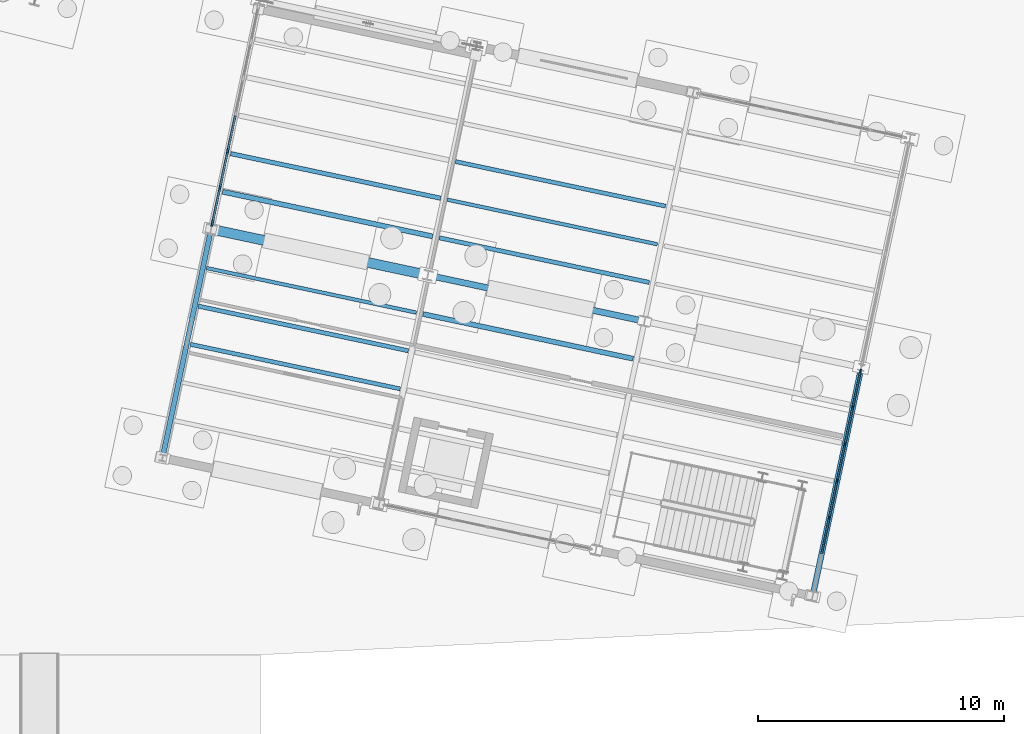
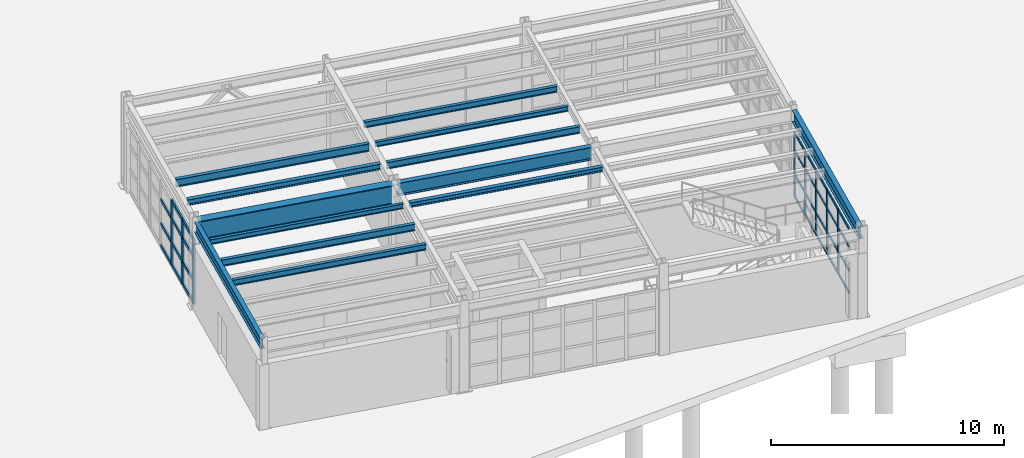
# One storey, part 54 of 108: 39 members, 13 beams, 2 elements without a shape of their own.
"""IFC4 building model written with IfcOpenShell, lengths in metres."""

from ifc_helpers import new_model, si_unit, direction, frame, origin, origin_2d, place, context, subcontext, project, spatial, rectangle, i_section, extrude, material, layer, layer_set, material_profile, profile_set, type_object, element, aggregate, save


model = new_model("IFC4")

# Units and contexts
model_context = context("Model", 3, precision=1e-05, world=origin(), true_north=direction((0.0, 1.0)))
body_context = subcontext(model_context, "Body", "Model", "MODEL_VIEW")
ifc_project = project(units=[si_unit("LENGTHUNIT", "METRE"), si_unit("AREAUNIT", "SQUARE_METRE"), si_unit("VOLUMEUNIT", "CUBIC_METRE"), si_unit("PLANEANGLEUNIT", "RADIAN"), si_unit("MASSUNIT", "GRAM", prefix="KILO")], contexts=[model_context])

# Site, building, storey
site_placement = place(None, origin())
site = spatial("IfcSite", under=ifc_project, at=site_placement, CompositionType="ELEMENT")
building_placement = place(site_placement, origin())
building = spatial("IfcBuilding", under=site, at=building_placement, Name="Vireo Bluff Cable Station", CompositionType="ELEMENT")
storey_placement = place(building_placement, origin())
storey = spatial("IfcBuildingStorey", under=building, at=storey_placement, Name="L00", CompositionType="ELEMENT", Elevation=0.0)

# Curtain wall, members
ifc_material_1 = material(Name="Anodized Aluminium 6063-T6", Category="aluminium")
ifc_layer = layer(ifc_material_1, 0.179931640625, Name="Anodized Aluminium 6063-T6")
ifc_layer_set = layer_set([ifc_layer], Name="Anodized Aluminium 6063-T6")
curtain_wall_type = type_object("IfcCurtainWallType", Name="CW-UNIT-1650", PredefinedType="USERDEFINED", material=ifc_layer_set)
curtain_wall_1_placement = place(storey_placement, origin())
curtain_wall_1 = element("IfcCurtainWall", 1, at=curtain_wall_1_placement, inside=storey, type_object=curtain_wall_type, Name="V5E L00 east curtain wall CW-134", ObjectType="UNITISED CURTAIN WALL", PredefinedType="USERDEFINED")
ifc_material_profile_1 = material_profile(ifc_material_1, rectangle(XDim=0.06005859375, YDim=0.159912109375, at=origin_2d()), Name="ALU-M-60X160")
ifc_profile_set_1 = profile_set([ifc_material_profile_1], Name="Anodized Aluminium 6063-T6")
member_type_1 = type_object("IfcMemberType", Name="CWM-03", PredefinedType="MULLION", material=ifc_profile_set_1)
member_1_placement = place(storey_placement, frame((158.351806640625, 13.522216796875, 0.0), z_axis=(0.0, 0.0, 1.0), x_axis=(0.978147584727, -0.207911766122, 0.0)))
member_1 = element("IfcMember", 2, at=member_1_placement, type_object=member_type_1, Name="CW-134 mullion 1", PredefinedType="MULLION", context=body_context, shape_type="SweptSolid", body=[
    extrude(rectangle(XDim=0.06005859375, YDim=0.159912109375, at=origin_2d()), origin(), (0.0, 0.0, 1.0), 3.39990234375),
])
member_2_placement = place(storey_placement, frame((158.04052734375, 12.056884765625, 0.0), z_axis=(0.0, 0.0, 1.0), x_axis=(0.978147584727, -0.207911766122, 0.0)))
member_2 = element("IfcMember", 3, at=member_2_placement, type_object=member_type_1, Name="CW-134 mullion 2", PredefinedType="MULLION", context=body_context, shape_type="SweptSolid", body=[
    extrude(rectangle(XDim=0.06005859375, YDim=0.159912109375, at=origin_2d()), origin(), (0.0, 0.0, 1.0), 3.39990234375),
])
member_3_placement = place(storey_placement, frame((157.72265625, 10.562255859375, 0.0), z_axis=(0.0, 0.0, 1.0), x_axis=(0.978147584727, -0.207911766122, 0.0)))
member_3 = element("IfcMember", 4, at=member_3_placement, type_object=member_type_1, Name="CW-134 mullion 3", PredefinedType="MULLION", context=body_context, shape_type="SweptSolid", body=[
    extrude(rectangle(XDim=0.06005859375, YDim=0.159912109375, at=origin_2d()), origin(), (0.0, 0.0, 1.0), 3.39990234375),
])
member_4_placement = place(storey_placement, frame((157.405029296875, 9.067626953125, 0.0), z_axis=(0.0, 0.0, 1.0), x_axis=(0.978147584727, -0.207911766122, 0.0)))
member_4 = element("IfcMember", 5, at=member_4_placement, type_object=member_type_1, Name="CW-134 mullion 4", PredefinedType="MULLION", context=body_context, shape_type="SweptSolid", body=[
    extrude(rectangle(XDim=0.06005859375, YDim=0.159912109375, at=origin_2d()), origin(), (0.0, 0.0, 1.0), 3.39990234375),
])
member_5_placement = place(storey_placement, frame((157.08740234375, 7.57275390625, 0.0), z_axis=(0.0, 0.0, 1.0), x_axis=(0.978147584727, -0.207911766122, 0.0)))
member_5 = element("IfcMember", 6, at=member_5_placement, type_object=member_type_1, Name="CW-134 mullion 5", PredefinedType="MULLION", context=body_context, shape_type="SweptSolid", body=[
    extrude(rectangle(XDim=0.06005859375, YDim=0.159912109375, at=origin_2d()), origin(), (0.0, 0.0, 1.0), 3.39990234375),
])

curtain_wall_2_placement = place(storey_placement, origin())
curtain_wall_2 = element("IfcCurtainWall", 7, at=curtain_wall_2_placement, inside=storey, type_object=curtain_wall_type, Name="V5E L00 west curtain wall CW-131", ObjectType="UNITISED CURTAIN WALL", PredefinedType="USERDEFINED")
ifc_material_profile_2 = material_profile(ifc_material_1, rectangle(XDim=0.080078125, YDim=0.239990234375, at=origin_2d()), Name="ALU-M-80X240")
ifc_profile_set_2 = profile_set([ifc_material_profile_2], Name="Anodized Aluminium 6063-T6")
member_type_2 = type_object("IfcMemberType", Name="CWM-04", PredefinedType="MULLION", material=ifc_profile_set_2)
member_6_placement = place(storey_placement, frame((132.025390625, 19.528564453125, 0.0), z_axis=(0.0, 0.0, 1.0), x_axis=(-0.978147586458, 0.207911757979, 0.0)))
member_6 = element("IfcMember", 8, at=member_6_placement, type_object=member_type_2, Name="CW-131 mullion 1", PredefinedType="MULLION", context=body_context, shape_type="SweptSolid", body=[
    extrude(rectangle(XDim=0.080078125, YDim=0.239990234375, at=origin_2d()), origin(), (0.0, 0.0, 1.0), 3.39990234375),
])
member_7_placement = place(storey_placement, frame((132.33203125, 20.970947265625, 0.0), z_axis=(0.0, 0.0, 1.0), x_axis=(-0.978147586458, 0.207911757979, 0.0)))
member_7 = element("IfcMember", 9, at=member_7_placement, type_object=member_type_2, Name="CW-131 mullion 2", PredefinedType="MULLION", context=body_context, shape_type="SweptSolid", body=[
    extrude(rectangle(XDim=0.080078125, YDim=0.239990234375, at=origin_2d()), origin(), (0.0, 0.0, 1.0), 3.39990234375),
])
member_8_placement = place(storey_placement, frame((132.64697265625, 22.45263671875, 0.0), z_axis=(0.0, 0.0, 1.0), x_axis=(-0.978147586458, 0.207911757979, 0.0)))
member_8 = element("IfcMember", 10, at=member_8_placement, type_object=member_type_2, Name="CW-131 mullion 3", PredefinedType="MULLION", context=body_context, shape_type="SweptSolid", body=[
    extrude(rectangle(XDim=0.080078125, YDim=0.239990234375, at=origin_2d()), origin(), (0.0, 0.0, 1.0), 3.39990234375),
])

# Member
ifc_material_profile_3 = material_profile(ifc_material_1, rectangle(XDim=0.06005859375, YDim=0.1201171875, at=origin_2d()), Name="ALU-T-60X120")
ifc_profile_set_3 = profile_set([ifc_material_profile_3], Name="Anodized Aluminium 6063-T6")
member_type_3 = type_object("IfcMemberType", Name="CWT-03", PredefinedType="USERDEFINED", material=ifc_profile_set_3)
member_9_placement = place(storey_placement, frame((158.345703125, 13.492919921875, 0.030029296875), z_axis=(-0.20795214779, -0.978139000464, 0.0), x_axis=(0.978139000464, -0.20795214779, 0.0)))
member_9 = element("IfcMember", 11, at=member_9_placement, type_object=member_type_3, Name="CW-134 transom 1.1", ObjectType="TRANSOM", PredefinedType="USERDEFINED", context=body_context, shape_type="SweptSolid", body=[
    extrude(rectangle(XDim=0.06005859375, YDim=0.1201171875, at=origin_2d()), origin(), (0.0, 0.0, 1.0), 1.438232421875),
])

member_10_placement = place(storey_placement, frame((158.345703125, 13.492919921875, 1.18994140625), z_axis=(-0.20795214779, -0.978139000464, 0.0), x_axis=(0.978139000464, -0.20795214779, 0.0)))
member_10 = element("IfcMember", 12, at=member_10_placement, type_object=member_type_3, Name="CW-134 transom 1.2", ObjectType="TRANSOM", PredefinedType="USERDEFINED", context=body_context, shape_type="SweptSolid", body=[
    extrude(rectangle(XDim=0.06005859375, YDim=0.1201171875, at=origin_2d()), origin(), (0.0, 0.0, 1.0), 1.438232421875),
])

member_11_placement = place(storey_placement, frame((158.345703125, 13.492919921875, 2.447998046875), z_axis=(-0.20795214779, -0.978139000464, 0.0), x_axis=(0.978139000464, -0.20795214779, 0.0)))
member_11 = element("IfcMember", 13, at=member_11_placement, type_object=member_type_3, Name="CW-134 transom 1.3", ObjectType="TRANSOM", PredefinedType="USERDEFINED", context=body_context, shape_type="SweptSolid", body=[
    extrude(rectangle(XDim=0.06005859375, YDim=0.1201171875, at=origin_2d()), origin(), (0.0, 0.0, 1.0), 1.438232421875),
])

member_12_placement = place(storey_placement, frame((158.345703125, 13.492919921875, 3.3701171875), z_axis=(-0.20795214779, -0.978139000464, 0.0), x_axis=(0.978139000464, -0.20795214779, 0.0)))
member_12 = element("IfcMember", 14, at=member_12_placement, type_object=member_type_3, Name="CW-134 transom 1.4", ObjectType="TRANSOM", PredefinedType="USERDEFINED", context=body_context, shape_type="SweptSolid", body=[
    extrude(rectangle(XDim=0.06005859375, YDim=0.1201171875, at=origin_2d()), origin(), (0.0, 0.0, 1.0), 1.438232421875),
])

member_13_placement = place(storey_placement, frame((158.0341796875, 12.027587890625, 0.030029296875), z_axis=(-0.207870689179, -0.978156315003, 0.0), x_axis=(0.978156315003, -0.207870689179, 0.0)))
member_13 = element("IfcMember", 15, at=member_13_placement, type_object=member_type_3, Name="CW-134 transom 2.1", ObjectType="TRANSOM", PredefinedType="USERDEFINED", context=body_context, shape_type="SweptSolid", body=[
    extrude(rectangle(XDim=0.06005859375, YDim=0.1201171875, at=origin_2d()), origin(), (0.0, 0.0, 1.0), 1.468017578125),
])

member_14_placement = place(storey_placement, frame((158.0341796875, 12.027587890625, 1.18994140625), z_axis=(-0.207870689179, -0.978156315003, 0.0), x_axis=(0.978156315003, -0.207870689179, 0.0)))
member_14 = element("IfcMember", 16, at=member_14_placement, type_object=member_type_3, Name="CW-134 transom 2.2", ObjectType="TRANSOM", PredefinedType="USERDEFINED", context=body_context, shape_type="SweptSolid", body=[
    extrude(rectangle(XDim=0.06005859375, YDim=0.1201171875, at=origin_2d()), origin(), (0.0, 0.0, 1.0), 1.468017578125),
])

member_15_placement = place(storey_placement, frame((158.0341796875, 12.027587890625, 2.447998046875), z_axis=(-0.207870689179, -0.978156315003, 0.0), x_axis=(0.978156315003, -0.207870689179, 0.0)))
member_15 = element("IfcMember", 17, at=member_15_placement, type_object=member_type_3, Name="CW-134 transom 2.3", ObjectType="TRANSOM", PredefinedType="USERDEFINED", context=body_context, shape_type="SweptSolid", body=[
    extrude(rectangle(XDim=0.06005859375, YDim=0.1201171875, at=origin_2d()), origin(), (0.0, 0.0, 1.0), 1.468017578125),
])

member_16_placement = place(storey_placement, frame((158.0341796875, 12.027587890625, 3.3701171875), z_axis=(-0.207870689179, -0.978156315003, 0.0), x_axis=(0.978156315003, -0.207870689179, 0.0)))
member_16 = element("IfcMember", 18, at=member_16_placement, type_object=member_type_3, Name="CW-134 transom 2.4", ObjectType="TRANSOM", PredefinedType="USERDEFINED", context=body_context, shape_type="SweptSolid", body=[
    extrude(rectangle(XDim=0.06005859375, YDim=0.1201171875, at=origin_2d()), origin(), (0.0, 0.0, 1.0), 1.468017578125),
])

member_17_placement = place(storey_placement, frame((157.716552734375, 10.532958984375, 0.030029296875), z_axis=(-0.208029791768, -0.97812249015, 0.0), x_axis=(0.97812249015, -0.208029791768, 0.0)))
member_17 = element("IfcMember", 19, at=member_17_placement, type_object=member_type_3, Name="CW-134 transom 3.1", ObjectType="TRANSOM", PredefinedType="USERDEFINED", context=body_context, shape_type="SweptSolid", body=[
    extrude(rectangle(XDim=0.06005859375, YDim=0.1201171875, at=origin_2d()), origin(), (0.0, 0.0, 1.0), 1.46826171875),
])

member_18_placement = place(storey_placement, frame((157.716552734375, 10.532958984375, 1.18994140625), z_axis=(-0.208029791768, -0.97812249015, 0.0), x_axis=(0.97812249015, -0.208029791768, 0.0)))
member_18 = element("IfcMember", 20, at=member_18_placement, type_object=member_type_3, Name="CW-134 transom 3.2", ObjectType="TRANSOM", PredefinedType="USERDEFINED", context=body_context, shape_type="SweptSolid", body=[
    extrude(rectangle(XDim=0.06005859375, YDim=0.1201171875, at=origin_2d()), origin(), (0.0, 0.0, 1.0), 1.46826171875),
])

member_19_placement = place(storey_placement, frame((157.716552734375, 10.532958984375, 2.447998046875), z_axis=(-0.208029791768, -0.97812249015, 0.0), x_axis=(0.97812249015, -0.208029791768, 0.0)))
member_19 = element("IfcMember", 21, at=member_19_placement, type_object=member_type_3, Name="CW-134 transom 3.3", ObjectType="TRANSOM", PredefinedType="USERDEFINED", context=body_context, shape_type="SweptSolid", body=[
    extrude(rectangle(XDim=0.06005859375, YDim=0.1201171875, at=origin_2d()), origin(), (0.0, 0.0, 1.0), 1.46826171875),
])

member_20_placement = place(storey_placement, frame((157.716552734375, 10.532958984375, 3.3701171875), z_axis=(-0.208029791768, -0.97812249015, 0.0), x_axis=(0.97812249015, -0.208029791768, 0.0)))
member_20 = element("IfcMember", 22, at=member_20_placement, type_object=member_type_3, Name="CW-134 transom 3.4", ObjectType="TRANSOM", PredefinedType="USERDEFINED", context=body_context, shape_type="SweptSolid", body=[
    extrude(rectangle(XDim=0.06005859375, YDim=0.1201171875, at=origin_2d()), origin(), (0.0, 0.0, 1.0), 1.46826171875),
])

member_21_placement = place(storey_placement, frame((157.398681640625, 9.038330078125, 0.030029296875), z_axis=(-0.207870689179, -0.978156315003, 0.0), x_axis=(0.978156315003, -0.207870689179, 0.0)))
member_21 = element("IfcMember", 23, at=member_21_placement, type_object=member_type_3, Name="CW-134 transom 4.1", ObjectType="TRANSOM", PredefinedType="USERDEFINED", context=body_context, shape_type="SweptSolid", body=[
    extrude(rectangle(XDim=0.06005859375, YDim=0.1201171875, at=origin_2d()), origin(), (0.0, 0.0, 1.0), 1.468017578125),
])

member_22_placement = place(storey_placement, frame((157.398681640625, 9.038330078125, 1.18994140625), z_axis=(-0.207870689179, -0.978156315003, 0.0), x_axis=(0.978156315003, -0.207870689179, 0.0)))
member_22 = element("IfcMember", 24, at=member_22_placement, type_object=member_type_3, Name="CW-134 transom 4.2", ObjectType="TRANSOM", PredefinedType="USERDEFINED", context=body_context, shape_type="SweptSolid", body=[
    extrude(rectangle(XDim=0.06005859375, YDim=0.1201171875, at=origin_2d()), origin(), (0.0, 0.0, 1.0), 1.468017578125),
])

member_23_placement = place(storey_placement, frame((157.398681640625, 9.038330078125, 2.447998046875), z_axis=(-0.207870689179, -0.978156315003, 0.0), x_axis=(0.978156315003, -0.207870689179, 0.0)))
member_23 = element("IfcMember", 25, at=member_23_placement, type_object=member_type_3, Name="CW-134 transom 4.3", ObjectType="TRANSOM", PredefinedType="USERDEFINED", context=body_context, shape_type="SweptSolid", body=[
    extrude(rectangle(XDim=0.06005859375, YDim=0.1201171875, at=origin_2d()), origin(), (0.0, 0.0, 1.0), 1.468017578125),
])

member_24_placement = place(storey_placement, frame((157.398681640625, 9.038330078125, 3.3701171875), z_axis=(-0.207870689179, -0.978156315003, 0.0), x_axis=(0.978156315003, -0.207870689179, 0.0)))
member_24 = element("IfcMember", 26, at=member_24_placement, type_object=member_type_3, Name="CW-134 transom 4.4", ObjectType="TRANSOM", PredefinedType="USERDEFINED", context=body_context, shape_type="SweptSolid", body=[
    extrude(rectangle(XDim=0.06005859375, YDim=0.1201171875, at=origin_2d()), origin(), (0.0, 0.0, 1.0), 1.468017578125),
])

member_25_placement = place(storey_placement, frame((157.0810546875, 7.54345703125, 0.030029296875), z_axis=(-0.207870689179, -0.978156315003, 0.0), x_axis=(0.978156315003, -0.207870689179, 0.0)))
member_25 = element("IfcMember", 27, at=member_25_placement, type_object=member_type_3, Name="CW-134 transom 5.1", ObjectType="TRANSOM", PredefinedType="USERDEFINED", context=body_context, shape_type="SweptSolid", body=[
    extrude(rectangle(XDim=0.06005859375, YDim=0.1201171875, at=origin_2d()), origin(), (0.0, 0.0, 1.0), 1.468017578125),
])

member_26_placement = place(storey_placement, frame((157.0810546875, 7.54345703125, 1.18994140625), z_axis=(-0.207870689179, -0.978156315003, 0.0), x_axis=(0.978156315003, -0.207870689179, 0.0)))
member_26 = element("IfcMember", 28, at=member_26_placement, type_object=member_type_3, Name="CW-134 transom 5.2", ObjectType="TRANSOM", PredefinedType="USERDEFINED", context=body_context, shape_type="SweptSolid", body=[
    extrude(rectangle(XDim=0.06005859375, YDim=0.1201171875, at=origin_2d()), origin(), (0.0, 0.0, 1.0), 1.468017578125),
])

member_27_placement = place(storey_placement, frame((157.0810546875, 7.54345703125, 2.447998046875), z_axis=(-0.207870689179, -0.978156315003, 0.0), x_axis=(0.978156315003, -0.207870689179, 0.0)))
member_27 = element("IfcMember", 29, at=member_27_placement, type_object=member_type_3, Name="CW-134 transom 5.3", ObjectType="TRANSOM", PredefinedType="USERDEFINED", context=body_context, shape_type="SweptSolid", body=[
    extrude(rectangle(XDim=0.06005859375, YDim=0.1201171875, at=origin_2d()), origin(), (0.0, 0.0, 1.0), 1.468017578125),
])

member_28_placement = place(storey_placement, frame((157.0810546875, 7.54345703125, 3.3701171875), z_axis=(-0.207870689179, -0.978156315003, 0.0), x_axis=(0.978156315003, -0.207870689179, 0.0)))
member_28 = element("IfcMember", 30, at=member_28_placement, type_object=member_type_3, Name="CW-134 transom 5.4", ObjectType="TRANSOM", PredefinedType="USERDEFINED", context=body_context, shape_type="SweptSolid", body=[
    extrude(rectangle(XDim=0.06005859375, YDim=0.1201171875, at=origin_2d()), origin(), (0.0, 0.0, 1.0), 1.468017578125),
])

aggregate(curtain_wall_1, [member_1, member_2, member_3, member_4, member_5, member_9, member_10, member_11, member_12, member_13, member_14, member_15, member_16, member_17, member_18, member_19, member_20, member_21, member_22, member_23, member_24, member_25, member_26, member_27, member_28])

ifc_material_profile_4 = material_profile(ifc_material_1, rectangle(XDim=0.080078125, YDim=0.175048828125, at=origin_2d()), Name="ALU-T-80X175")
ifc_profile_set_4 = profile_set([ifc_material_profile_4], Name="Anodized Aluminium 6063-T6")
member_type_4 = type_object("IfcMemberType", Name="CWT-04", PredefinedType="USERDEFINED", material=ifc_profile_set_4)
member_29_placement = place(storey_placement, frame((132.03369140625, 19.56787109375, 0.0400390625), z_axis=(0.207986479453, 0.97813170093, 0.0), x_axis=(-0.97813170093, 0.207986479453, 0.0)))
member_29 = element("IfcMember", 31, at=member_29_placement, type_object=member_type_4, Name="CW-131 transom 1.1", ObjectType="TRANSOM", PredefinedType="USERDEFINED", context=body_context, shape_type="SweptSolid", body=[
    extrude(rectangle(XDim=0.080078125, YDim=0.175048828125, at=origin_2d()), origin(), (0.0, 0.0, 1.0), 1.39453125),
])

member_30_placement = place(storey_placement, frame((132.03369140625, 19.56787109375, 1.18994140625), z_axis=(0.207986479453, 0.97813170093, 0.0), x_axis=(-0.97813170093, 0.207986479453, 0.0)))
member_30 = element("IfcMember", 32, at=member_30_placement, type_object=member_type_4, Name="CW-131 transom 1.2", ObjectType="TRANSOM", PredefinedType="USERDEFINED", context=body_context, shape_type="SweptSolid", body=[
    extrude(rectangle(XDim=0.080078125, YDim=0.175048828125, at=origin_2d()), origin(), (0.0, 0.0, 1.0), 1.39453125),
])

member_31_placement = place(storey_placement, frame((132.03369140625, 19.56787109375, 2.447998046875), z_axis=(0.207986479453, 0.97813170093, 0.0), x_axis=(-0.97813170093, 0.207986479453, 0.0)))
member_31 = element("IfcMember", 33, at=member_31_placement, type_object=member_type_4, Name="CW-131 transom 1.3", ObjectType="TRANSOM", PredefinedType="USERDEFINED", context=body_context, shape_type="SweptSolid", body=[
    extrude(rectangle(XDim=0.080078125, YDim=0.175048828125, at=origin_2d()), origin(), (0.0, 0.0, 1.0), 1.39453125),
])

member_32_placement = place(storey_placement, frame((132.03369140625, 19.56787109375, 3.360107421875), z_axis=(0.207986479453, 0.97813170093, 0.0), x_axis=(-0.97813170093, 0.207986479453, 0.0)))
member_32 = element("IfcMember", 34, at=member_32_placement, type_object=member_type_4, Name="CW-131 transom 1.4", ObjectType="TRANSOM", PredefinedType="USERDEFINED", context=body_context, shape_type="SweptSolid", body=[
    extrude(rectangle(XDim=0.080078125, YDim=0.175048828125, at=origin_2d()), origin(), (0.0, 0.0, 1.0), 1.39453125),
])

member_33_placement = place(storey_placement, frame((132.34033203125, 21.01025390625, 0.0400390625), z_axis=(0.207948304961, 0.978139817441, 0.0), x_axis=(-0.978139817441, 0.207948304961, 0.0)))
member_33 = element("IfcMember", 35, at=member_33_placement, type_object=member_type_4, Name="CW-131 transom 2.1", ObjectType="TRANSOM", PredefinedType="USERDEFINED", context=body_context, shape_type="SweptSolid", body=[
    extrude(rectangle(XDim=0.080078125, YDim=0.175048828125, at=origin_2d()), origin(), (0.0, 0.0, 1.0), 1.4345703125),
])

member_34_placement = place(storey_placement, frame((132.34033203125, 21.01025390625, 1.18994140625), z_axis=(0.207948304961, 0.978139817441, 0.0), x_axis=(-0.978139817441, 0.207948304961, 0.0)))
member_34 = element("IfcMember", 36, at=member_34_placement, type_object=member_type_4, Name="CW-131 transom 2.2", ObjectType="TRANSOM", PredefinedType="USERDEFINED", context=body_context, shape_type="SweptSolid", body=[
    extrude(rectangle(XDim=0.080078125, YDim=0.175048828125, at=origin_2d()), origin(), (0.0, 0.0, 1.0), 1.4345703125),
])

member_35_placement = place(storey_placement, frame((132.34033203125, 21.01025390625, 2.447998046875), z_axis=(0.207948304961, 0.978139817441, 0.0), x_axis=(-0.978139817441, 0.207948304961, 0.0)))
member_35 = element("IfcMember", 37, at=member_35_placement, type_object=member_type_4, Name="CW-131 transom 2.3", ObjectType="TRANSOM", PredefinedType="USERDEFINED", context=body_context, shape_type="SweptSolid", body=[
    extrude(rectangle(XDim=0.080078125, YDim=0.175048828125, at=origin_2d()), origin(), (0.0, 0.0, 1.0), 1.4345703125),
])

member_36_placement = place(storey_placement, frame((132.34033203125, 21.01025390625, 3.360107421875), z_axis=(0.207948304961, 0.978139817441, 0.0), x_axis=(-0.978139817441, 0.207948304961, 0.0)))
member_36 = element("IfcMember", 38, at=member_36_placement, type_object=member_type_4, Name="CW-131 transom 2.4", ObjectType="TRANSOM", PredefinedType="USERDEFINED", context=body_context, shape_type="SweptSolid", body=[
    extrude(rectangle(XDim=0.080078125, YDim=0.175048828125, at=origin_2d()), origin(), (0.0, 0.0, 1.0), 1.4345703125),
])

member_37_placement = place(storey_placement, frame((132.6552734375, 22.49169921875, 0.0400390625), z_axis=(0.207785484454, 0.978174418215, 0.0), x_axis=(-0.978174418215, 0.207785484454, 0.0)))
member_37 = element("IfcMember", 39, at=member_37_placement, type_object=member_type_4, Name="CW-131 transom 3.1", ObjectType="TRANSOM", PredefinedType="USERDEFINED", context=body_context, shape_type="SweptSolid", body=[
    extrude(rectangle(XDim=0.080078125, YDim=0.175048828125, at=origin_2d()), origin(), (0.0, 0.0, 1.0), 1.4345703125),
])

member_38_placement = place(storey_placement, frame((132.6552734375, 22.49169921875, 1.18994140625), z_axis=(0.207785484454, 0.978174418215, 0.0), x_axis=(-0.978174418215, 0.207785484454, 0.0)))
member_38 = element("IfcMember", 40, at=member_38_placement, type_object=member_type_4, Name="CW-131 transom 3.2", ObjectType="TRANSOM", PredefinedType="USERDEFINED", context=body_context, shape_type="SweptSolid", body=[
    extrude(rectangle(XDim=0.080078125, YDim=0.175048828125, at=origin_2d()), origin(), (0.0, 0.0, 1.0), 1.4345703125),
])

member_39_placement = place(storey_placement, frame((132.6552734375, 22.49169921875, 2.447998046875), z_axis=(0.207785484454, 0.978174418215, 0.0), x_axis=(-0.978174418215, 0.207785484454, 0.0)))
member_39 = element("IfcMember", 41, at=member_39_placement, type_object=member_type_4, Name="CW-131 transom 3.3", ObjectType="TRANSOM", PredefinedType="USERDEFINED", context=body_context, shape_type="SweptSolid", body=[
    extrude(rectangle(XDim=0.080078125, YDim=0.175048828125, at=origin_2d()), origin(), (0.0, 0.0, 1.0), 1.4345703125),
])

aggregate(curtain_wall_2, [member_6, member_7, member_8, member_29, member_30, member_31, member_32, member_33, member_34, member_35, member_36, member_37, member_38, member_39])

# Beams
ifc_material_2 = material(Name="Steel ASTM A992 Gr. 50", Category="steel")
ifc_material_profile_5 = material_profile(ifc_material_2, i_section(OverallWidth=0.2529296875, OverallDepth=0.677978515625, WebThickness=0.01171875, FlangeThickness=0.016357421875, FilletRadius=0.014892578125, at=origin_2d()), Name="W27X84")
ifc_profile_set_5 = profile_set([ifc_material_profile_5], Name="Steel ASTM A992 Gr. 50")
beam_type_1 = type_object("IfcBeamType", Name="GIR-W27X84", PredefinedType="USERDEFINED", material=ifc_profile_set_5)
beam_1_placement = place(storey_placement, frame((140.895751953125, 17.396240234375, 4.200927734375), z_axis=(0.978148154167, -0.207909087104, 0.0), x_axis=(0.207909087104, 0.978148154167, 0.0)))
element("IfcBeam", 42, at=beam_1_placement, inside=storey, type_object=beam_type_1, Name="V5E L00 girder 1290", ObjectType="GIRDER", PredefinedType="USERDEFINED", context=body_context, shape_type="SweptSolid", body=[
    extrude(i_section(OverallWidth=0.2529296875, OverallDepth=0.677978515625, WebThickness=0.01171875, FlangeThickness=0.016357421875, FilletRadius=0.014892578125, at=origin_2d()), origin(), (0.0, 0.0, 1.0), 8.760009765625),
])
ifc_material_profile_6 = material_profile(ifc_material_2, i_section(OverallWidth=0.404052734375, OverallDepth=1.117919921875, WebThickness=0.026123046875, FlangeThickness=0.044921875, FilletRadius=0.02197265625, at=origin_2d()), Name="W44X335")
ifc_profile_set_6 = profile_set([ifc_material_profile_6], Name="Steel ASTM A992 Gr. 50")
beam_type_2 = type_object("IfcBeamType", Name="GIR-W44X335", PredefinedType="USERDEFINED", material=ifc_profile_set_6)
beam_2_placement = place(storey_placement, frame((132.092529296875, 19.267333984375, 3.98095703125), z_axis=(0.978148154167, -0.207909087104, 0.0), x_axis=(0.207909087104, 0.978148154167, 0.0)))
element("IfcBeam", 43, at=beam_2_placement, inside=storey, type_object=beam_type_2, Name="V5E L00 girder 1319", ObjectType="GIRDER", PredefinedType="USERDEFINED", context=body_context, shape_type="SweptSolid", body=[
    extrude(i_section(OverallWidth=0.404052734375, OverallDepth=1.117919921875, WebThickness=0.026123046875, FlangeThickness=0.044921875, FilletRadius=0.02197265625, at=origin_2d()), origin(), (0.0, 0.0, 1.0), 8.760009765625),
])
ifc_material_profile_7 = material_profile(ifc_material_2, i_section(OverallWidth=0.14599609375, OverallDepth=0.259033203125, WebThickness=0.006103515625, FlangeThickness=0.009033203125, FilletRadius=0.009033203125, at=origin_2d()), Name="W10X22")
ifc_profile_set_7 = profile_set([ifc_material_profile_7], Name="Steel ASTM A992 Gr. 50")
beam_type_3 = type_object("IfcBeamType", Name="JST-W10X22", PredefinedType="JOIST", material=ifc_profile_set_7)
for number, where, z_axis, x_axis, name in (
    (44, (141.57373046875, 20.489501953125, 4.410400390625), (0.978148105174, -0.207909317601, 0.0), (0.207909317601, 0.978148105174, 0.0), "V5E L00 composite joist 1306"),
    (45, (131.782958984375, 17.714599609375, 4.410400390625), (0.978146894897, -0.207915011493, 0.0), (0.207915011493, 0.978146894897, 0.0), "V5E L00 composite joist 1327"),
):
    element("IfcBeam", number, at=place(storey_placement, frame(where, z_axis=z_axis, x_axis=x_axis)), inside=storey, type_object=beam_type_3, Name=name, PredefinedType="JOIST", context=body_context, shape_type="SweptSolid", body=[
        extrude(i_section(OverallWidth=0.14599609375, OverallDepth=0.259033203125, WebThickness=0.006103515625, FlangeThickness=0.009033203125, FilletRadius=0.009033203125, at=origin_2d()), origin(), (0.0, 0.0, 1.0), 8.719970703125),
    ])
ifc_material_profile_8 = material_profile(ifc_material_2, i_section(OverallWidth=0.201904296875, OverallDepth=0.2470703125, WebThickness=0.00732421875, FlangeThickness=0.010986328125, FilletRadius=0.009033203125, at=origin_2d()), Name="W10X33")
ifc_profile_set_8 = profile_set([ifc_material_profile_8], Name="Steel ASTM A992 Gr. 50")
beam_type_4 = type_object("IfcBeamType", Name="JST-W10X33", PredefinedType="JOIST", material=ifc_profile_set_8)
beam_3_placement = place(storey_placement, frame((140.586181640625, 15.84326171875, 4.41650390625), z_axis=(0.978148105174, -0.207909317601, 0.0), x_axis=(0.207909317601, 0.978148105174, 0.0)))
element("IfcBeam", 46, at=beam_3_placement, inside=storey, type_object=beam_type_4, Name="V5E L00 composite joist 1304", PredefinedType="JOIST", context=body_context, shape_type="SweptSolid", body=[
    extrude(i_section(OverallWidth=0.201904296875, OverallDepth=0.2470703125, WebThickness=0.00732421875, FlangeThickness=0.010986328125, FilletRadius=0.009033203125, at=origin_2d()), origin(), (0.0, 0.0, 1.0), 8.719970703125),
])
ifc_material_profile_9 = material_profile(ifc_material_2, i_section(OverallWidth=0.1650390625, OverallDepth=0.31005859375, WebThickness=0.005859375, FlangeThickness=0.009765625, FilletRadius=0.010009765625, at=origin_2d()), Name="W12X26")
ifc_profile_set_9 = profile_set([ifc_material_profile_9], Name="Steel ASTM A992 Gr. 50")
beam_type_5 = type_object("IfcBeamType", Name="JST-W12X26", PredefinedType="JOIST", material=ifc_profile_set_9)
for number, where, z_axis, x_axis, name in (
    (47, (141.903076171875, 22.038330078125, 4.385009765625), (0.978146894897, -0.207915011493, 0.0), (0.207915011493, 0.978146894897, 0.0), "V5E L00 composite joist 1307"),
    (48, (131.12451171875, 14.6171875, 4.385009765625), (0.978148105174, -0.207909317601, 0.0), (0.207909317601, 0.978148105174, 0.0), "V5E L00 composite joist 1325"),
):
    element("IfcBeam", number, at=place(storey_placement, frame(where, z_axis=z_axis, x_axis=x_axis)), inside=storey, type_object=beam_type_5, Name=name, PredefinedType="JOIST", context=body_context, shape_type="SweptSolid", body=[
        extrude(i_section(OverallWidth=0.1650390625, OverallDepth=0.31005859375, WebThickness=0.005859375, FlangeThickness=0.009765625, FilletRadius=0.010009765625, at=origin_2d()), origin(), (0.0, 0.0, 1.0), 8.719970703125),
    ])
ifc_material_profile_10 = material_profile(ifc_material_2, i_section(OverallWidth=0.202880859375, OverallDepth=0.302978515625, WebThickness=0.007568359375, FlangeThickness=0.01318359375, FilletRadius=0.010009765625, at=origin_2d()), Name="W12X40")
ifc_profile_set_10 = profile_set([ifc_material_profile_10], Name="Steel ASTM A992 Gr. 50")
beam_type_6 = type_object("IfcBeamType", Name="JST-W12X40", PredefinedType="JOIST", material=ifc_profile_set_10)
beam_4_placement = place(storey_placement, frame((132.44140625, 20.81201171875, 4.388427734375), z_axis=(0.978146894897, -0.207915011493, 0.0), x_axis=(0.207915011493, 0.978146894897, 0.0)))
element("IfcBeam", 49, at=beam_4_placement, inside=storey, type_object=beam_type_6, Name="V5E L00 composite joist 1328", PredefinedType="JOIST", context=body_context, shape_type="SweptSolid", body=[
    extrude(i_section(OverallWidth=0.202880859375, OverallDepth=0.302978515625, WebThickness=0.007568359375, FlangeThickness=0.01318359375, FilletRadius=0.010009765625, at=origin_2d()), origin(), (0.0, 0.0, 1.0), 8.719970703125),
])
ifc_material_profile_11 = material_profile(ifc_material_2, i_section(OverallWidth=0.1708984375, OverallDepth=0.35107421875, WebThickness=0.0068359375, FlangeThickness=0.009765625, FilletRadius=0.010009765625, at=origin_2d()), Name="W14X30")
ifc_profile_set_11 = profile_set([ifc_material_profile_11], Name="Steel ASTM A992 Gr. 50")
beam_type_7 = type_object("IfcBeamType", Name="JST-W14X30", PredefinedType="JOIST", material=ifc_profile_set_11)
for number, where, z_axis, x_axis, name in (
    (50, (141.24462890625, 18.94091796875, 4.364501953125), (0.978148105174, -0.207909317601, 0.0), (0.207909317601, 0.978148105174, 0.0), "V5E L00 composite joist 1305"),
    (51, (131.45361328125, 16.165771484375, 4.364501953125), (0.978148105174, -0.207909317601, 0.0), (0.207909317601, 0.978148105174, 0.0), "V5E L00 composite joist 1326"),
):
    element("IfcBeam", number, at=place(storey_placement, frame(where, z_axis=z_axis, x_axis=x_axis)), inside=storey, type_object=beam_type_7, Name=name, PredefinedType="JOIST", context=body_context, shape_type="SweptSolid", body=[
        extrude(i_section(OverallWidth=0.1708984375, OverallDepth=0.35107421875, WebThickness=0.0068359375, FlangeThickness=0.009765625, FilletRadius=0.010009765625, at=origin_2d()), origin(), (0.0, 0.0, 1.0), 8.719970703125),
    ])
ifc_material_profile_12 = material_profile(ifc_material_2, i_section(OverallWidth=0.177978515625, OverallDepth=0.404052734375, WebThickness=0.007568359375, FlangeThickness=0.010986328125, FilletRadius=0.010009765625, at=origin_2d()), Name="W16X36")
ifc_profile_set_12 = profile_set([ifc_material_profile_12], Name="Steel ASTM A992 Gr. 50")
beam_type_8 = type_object("IfcBeamType", Name="JST-W16X36", PredefinedType="JOIST", material=ifc_profile_set_12)
beam_5_placement = place(storey_placement, frame((132.7705078125, 22.36083984375, 4.337890625), z_axis=(0.978148105174, -0.207909317601, 0.0), x_axis=(0.207909317601, 0.978148105174, 0.0)))
element("IfcBeam", 52, at=beam_5_placement, inside=storey, type_object=beam_type_8, Name="V5E L00 composite joist 1329", PredefinedType="JOIST", context=body_context, shape_type="SweptSolid", body=[
    extrude(i_section(OverallWidth=0.177978515625, OverallDepth=0.404052734375, WebThickness=0.007568359375, FlangeThickness=0.010986328125, FilletRadius=0.010009765625, at=origin_2d()), origin(), (0.0, 0.0, 1.0), 8.719970703125),
])
ifc_material_profile_13 = material_profile(ifc_material_2, i_section(OverallWidth=0.2099609375, OverallDepth=0.535888671875, WebThickness=0.010986328125, FlangeThickness=0.017333984375, FilletRadius=0.012939453125, at=origin_2d()), Name="W21X68")
ifc_profile_set_13 = profile_set([ifc_material_profile_13], Name="Steel ASTM A992 Gr. 50")
beam_type_9 = type_object("IfcBeamType", Name="SPN-W21X68", PredefinedType="SPANDREL", material=ifc_profile_set_13)
beam_6_placement = place(storey_placement, frame((130.02490234375, 10.117431640625, 4.27197265625), z_axis=(0.207915514037, 0.978146788076, 0.0), x_axis=(-0.978146788076, 0.207915514037, 0.0)))
element("IfcBeam", 53, at=beam_6_placement, inside=storey, type_object=beam_type_9, Name="V5E L00 spandrel 1321", PredefinedType="SPANDREL", context=body_context, shape_type="SweptSolid", body=[
    extrude(i_section(OverallWidth=0.2099609375, OverallDepth=0.535888671875, WebThickness=0.010986328125, FlangeThickness=0.017333984375, FilletRadius=0.012939453125, at=origin_2d()), origin(), (0.0, 0.0, 1.0), 9.260009765625),
])
ifc_material_profile_14 = material_profile(ifc_material_2, i_section(OverallWidth=0.22802734375, OverallDepth=0.60693359375, WebThickness=0.01123046875, FlangeThickness=0.017333984375, FilletRadius=0.012939453125, at=origin_2d()), Name="W24X76")
ifc_profile_set_14 = profile_set([ifc_material_profile_14], Name="Steel ASTM A992 Gr. 50")
beam_type_10 = type_object("IfcBeamType", Name="SPN-W24X76", PredefinedType="SPANDREL", material=ifc_profile_set_14)
beam_7_placement = place(storey_placement, frame((156.434814453125, 4.503662109375, 4.236572265625), z_axis=(0.207910152243, 0.978147927767, 0.0), x_axis=(-0.978147927767, 0.207910152243, 0.0)))
element("IfcBeam", 54, at=beam_7_placement, inside=storey, type_object=beam_type_10, Name="V5E L00 spandrel 1298", PredefinedType="SPANDREL", context=body_context, shape_type="SweptSolid", body=[
    extrude(i_section(OverallWidth=0.22802734375, OverallDepth=0.60693359375, WebThickness=0.01123046875, FlangeThickness=0.017333984375, FilletRadius=0.012939453125, at=origin_2d()), origin(), (0.0, 0.0, 1.0), 9.26025390625),
])

save(model, "model.ifc")
